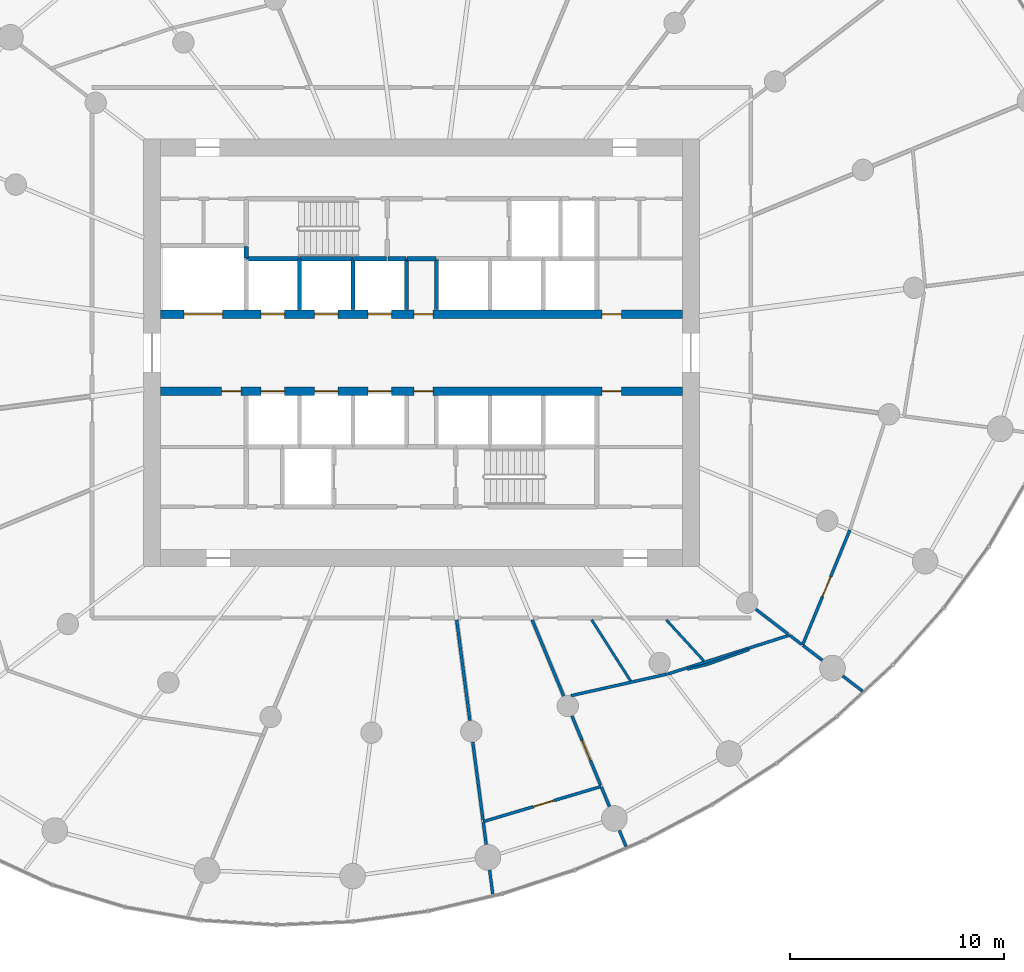
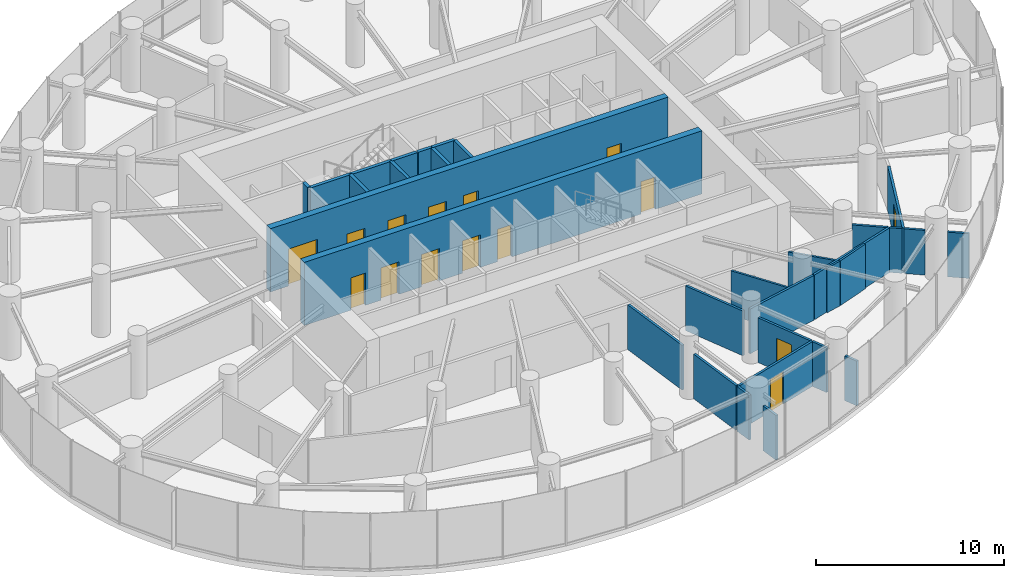
# One storey, part 11 of 17: 32 walls, 15 doors, 15 openings.
"""IFC4 building model written with IfcOpenShell, lengths in metres."""

from ifc_helpers import new_model, si_unit, direction, frame, frame_2d, origin, place, context, subcontext, project, spatial, rectangle, extrude, source, transform, mapped, material, layer, layer_set, type_object, element, fill, save


model = new_model("IFC4")

# Units and contexts
model_context = context("Model", 3, precision=1e-05, world=origin(), true_north=direction((0.0, 1.0)))
body_context = subcontext(model_context, "Body", "Model", "MODEL_VIEW")
ifc_project = project(units=[si_unit("LENGTHUNIT", "METRE"), si_unit("AREAUNIT", "SQUARE_METRE"), si_unit("VOLUMEUNIT", "CUBIC_METRE"), si_unit("PLANEANGLEUNIT", "RADIAN"), si_unit("MASSUNIT", "GRAM", prefix="KILO")], contexts=[model_context])

# Site, building, storey
site_placement = place(None, origin())
site = spatial("IfcSite", under=ifc_project, at=site_placement, CompositionType="ELEMENT")
building_placement = place(site_placement, origin())
building = spatial("IfcBuilding", under=site, at=building_placement, Name="Spindrift Exchange Tower", CompositionType="ELEMENT")
storey_placement = place(building_placement, frame((0.0, 0.0, 104.39990234375)))
storey = spatial("IfcBuildingStorey", under=building, at=storey_placement, Name="L24", CompositionType="ELEMENT", Elevation=104.39990234375)

# Wall, openings, doors
ifc_material_1 = material(Name="Concrete 65 MPa", Category="concrete")
ifc_layer_1 = layer(ifc_material_1, 0.39990234375)
ifc_layer_set_1 = layer_set([ifc_layer_1], Name="RC Spine Wall 400 Concrete 65 MPa")
wall_type_1 = type_object("IfcWallType", Name="RC Spine Wall 400 Concrete 65 MPa", PredefinedType="SHEAR", material=ifc_layer_set_1)
wall_1_placement = place(storey_placement, frame((39.800048828125, 49.800048828125, 0.0), z_axis=(0.0, 0.0, 1.0), x_axis=(1.0, 0.0, 0.0)))
wall_1 = element("IfcWall", 1, at=wall_1_placement, inside=storey, type_object=wall_type_1, Name="Core spine wall N L24", PredefinedType="SHEAR", context=body_context, shape_type="SweptSolid", body=[
    extrude(rectangle(XDim=24.39990234375, YDim=0.39990234375, at=frame_2d((12.199951171875, 0.0))), origin(), (0.0, 0.0, 1.0), 4.10009765625),
])
opening_1_placement = place(wall_1_placement, frame((4.699951171875, 0.0, 0.0)))
opening_1 = element("IfcOpeningElement", 2, at=opening_1_placement, cuts=wall_1, Name="Opening L24-D3", PredefinedType="OPENING", context=body_context, shape_type="SweptSolid", body=[
    extrude(rectangle(XDim=1.10009765625, YDim=2.10009765625, at=frame_2d((0.550048828125, 1.050048828125))), frame((0.0, 0.2099609375, 0.0), z_axis=(0.0, -1.0, 0.0), x_axis=(1.0, 0.0, 0.0)), (0.0, 0.0, 1.0), 0.419921875),
])
opening_2_placement = place(wall_1_placement, frame((7.199951171875, 0.0, 0.0)))
opening_2 = element("IfcOpeningElement", 3, at=opening_2_placement, cuts=wall_1, Name="Opening L24-D4", PredefinedType="OPENING", context=body_context, shape_type="SweptSolid", body=[
    extrude(rectangle(XDim=1.10009765625, YDim=2.10009765625, at=frame_2d((0.550048828125, 1.050048828125))), frame((0.0, 0.2099609375, 0.0), z_axis=(0.0, -1.0, 0.0), x_axis=(1.0, 0.0, 0.0)), (0.0, 0.0, 1.0), 0.419921875),
])
opening_3_placement = place(wall_1_placement, frame((9.699951171875, 0.0, 0.0)))
opening_3 = element("IfcOpeningElement", 4, at=opening_3_placement, cuts=wall_1, Name="Opening L24-D5", PredefinedType="OPENING", context=body_context, shape_type="SweptSolid", body=[
    extrude(rectangle(XDim=1.10009765625, YDim=2.10009765625, at=frame_2d((0.550048828125, 1.050048828125))), frame((0.0, 0.2099609375, 0.0), z_axis=(0.0, -1.0, 0.0), x_axis=(1.0, 0.0, 0.0)), (0.0, 0.0, 1.0), 0.419921875),
])
opening_4_placement = place(wall_1_placement, frame((1.10009765625, 0.0, 0.0)))
opening_4 = element("IfcOpeningElement", 5, at=opening_4_placement, cuts=wall_1, Name="Opening L24-D12", PredefinedType="OPENING", context=body_context, shape_type="SweptSolid", body=[
    extrude(rectangle(XDim=1.800048828125, YDim=2.39990234375, at=frame_2d((0.89990234375, 1.199951171875))), frame((0.0, 0.2099609375, 0.0), z_axis=(0.0, -1.0, 0.0), x_axis=(1.0, 0.0, 0.0)), (0.0, 0.0, 1.0), 0.419921875),
])
opening_5_placement = place(wall_1_placement, frame((20.64990234375, 0.0, 0.0)))
opening_5 = element("IfcOpeningElement", 6, at=opening_5_placement, cuts=wall_1, Name="Opening L24-D50", PredefinedType="OPENING", context=body_context, shape_type="SweptSolid", body=[
    extrude(rectangle(XDim=0.89990234375, YDim=2.10009765625, at=frame_2d((0.449951171875, 1.050048828125))), frame((0.0, 0.2099609375, 0.0), z_axis=(0.0, -1.0, 0.0), x_axis=(1.0, 0.0, 0.0)), (0.0, 0.0, 1.0), 0.419921875),
])
opening_6_placement = place(wall_1_placement, frame((11.85009765625, 0.0, 0.0)))
opening_6 = element("IfcOpeningElement", 7, at=opening_6_placement, cuts=wall_1, Name="Opening L24-D55", PredefinedType="OPENING", context=body_context, shape_type="SweptSolid", body=[
    extrude(rectangle(XDim=0.89990234375, YDim=2.10009765625, at=frame_2d((0.449951171875, 1.050048828125))), frame((0.0, 0.2099609375, 0.0), z_axis=(0.0, -1.0, 0.0), x_axis=(1.0, 0.0, 0.0)), (0.0, 0.0, 1.0), 0.419921875),
])
ifc_material_2 = material(Name="Stainless steel landing door", Category="steel")
door_type_1 = type_object("IfcDoorType", Name="DR-LANDING-1100-SL", OperationType="DOUBLE_DOOR_SLIDING", PredefinedType="USERDEFINED", material=ifc_material_2)
shared_shape_1 = source(origin(), body_context, "Body", "SweptSolid", [
    extrude(rectangle(XDim=1.10009765625, YDim=2.10009765625, at=frame_2d((0.550048828125, 1.050048828125))), frame((0.0, 0.02490234375, 0.0), z_axis=(0.0, -1.0, 0.0), x_axis=(1.0, 0.0, 0.0)), (0.0, 0.0, 1.0), 0.050048828125),
])
door_1_placement = place(opening_1_placement, origin())
door_1 = element("IfcDoor", 8, at=door_1_placement, inside=storey, type_object=door_type_1, Name="L24 Lift landing door 3", ObjectType="LANDING DOOR", OperationType="DOUBLE_DOOR_SLIDING", OverallHeight=2.10009765625, OverallWidth=1.10009765625, PredefinedType="USERDEFINED", context=body_context, shape_type="MappedRepresentation", body=[
    mapped(shared_shape_1, transform((0.0, 0.0, 0.0), scale=1.0)),
])
fill(opening_1, door_1)
door_2_placement = place(opening_2_placement, origin())
door_2 = element("IfcDoor", 9, at=door_2_placement, inside=storey, type_object=door_type_1, Name="L24 Lift landing door 4", ObjectType="LANDING DOOR", OperationType="DOUBLE_DOOR_SLIDING", OverallHeight=2.10009765625, OverallWidth=1.10009765625, PredefinedType="USERDEFINED", context=body_context, shape_type="MappedRepresentation", body=[
    mapped(shared_shape_1, transform((0.0, 0.0, 0.0), scale=1.0)),
])
fill(opening_2, door_2)
door_3_placement = place(opening_3_placement, origin())
door_3 = element("IfcDoor", 10, at=door_3_placement, inside=storey, type_object=door_type_1, Name="L24 Lift landing door 5", ObjectType="LANDING DOOR", OperationType="DOUBLE_DOOR_SLIDING", OverallHeight=2.10009765625, OverallWidth=1.10009765625, PredefinedType="USERDEFINED", context=body_context, shape_type="MappedRepresentation", body=[
    mapped(shared_shape_1, transform((0.0, 0.0, 0.0), scale=1.0)),
])
fill(opening_3, door_3)
door_type_2 = type_object("IfcDoorType", Name="DR-LANDING-1800-SL", OperationType="DOUBLE_DOOR_SLIDING", PredefinedType="USERDEFINED", material=ifc_material_2)
shared_shape_2 = source(origin(), body_context, "Body", "SweptSolid", [
    extrude(rectangle(XDim=1.800048828125, YDim=2.39990234375, at=frame_2d((0.89990234375, 1.199951171875))), frame((0.0, 0.02490234375, 0.0), z_axis=(0.0, -1.0, 0.0), x_axis=(1.0, 0.0, 0.0)), (0.0, 0.0, 1.0), 0.050048828125),
])
door_4_placement = place(opening_4_placement, origin())
door_4 = element("IfcDoor", 11, at=door_4_placement, inside=storey, type_object=door_type_2, Name="L24 Lift landing door 12", ObjectType="LANDING DOOR", OperationType="DOUBLE_DOOR_SLIDING", OverallHeight=2.39990234375, OverallWidth=1.800048828125, PredefinedType="USERDEFINED", context=body_context, shape_type="MappedRepresentation", body=[
    mapped(shared_shape_2, transform((0.0, 0.0, 0.0), scale=1.0)),
])
fill(opening_4, door_4)
ifc_material_3 = material(Name="Steel access door", Category="steel")
door_type_3 = type_object("IfcDoorType", Name="DR-RISER-900", OperationType="NOTDEFINED", PredefinedType="DOOR", material=ifc_material_3)
shared_shape_3 = source(origin(), body_context, "Body", "SweptSolid", [
    extrude(rectangle(XDim=0.89990234375, YDim=2.10009765625, at=frame_2d((0.449951171875, 1.050048828125))), frame((0.0, 0.02490234375, 0.0), z_axis=(0.0, -1.0, 0.0), x_axis=(1.0, 0.0, 0.0)), (0.0, 0.0, 1.0), 0.050048828125),
])
door_5_placement = place(opening_5_placement, origin())
door_5 = element("IfcDoor", 12, at=door_5_placement, inside=storey, type_object=door_type_3, Name="L24 Riser door 50", OperationType="SINGLE_SWING_RIGHT", OverallHeight=2.10009765625, OverallWidth=0.89990234375, PredefinedType="DOOR", context=body_context, shape_type="MappedRepresentation", body=[
    mapped(shared_shape_3, transform((0.0, 0.0, 0.0), scale=1.0)),
])
fill(opening_5, door_5)
door_6_placement = place(opening_6_placement, origin())
door_6 = element("IfcDoor", 13, at=door_6_placement, inside=storey, type_object=door_type_3, Name="L24 Riser door 55", OperationType="SINGLE_SWING_LEFT", OverallHeight=2.10009765625, OverallWidth=0.89990234375, PredefinedType="DOOR", context=body_context, shape_type="MappedRepresentation", body=[
    mapped(shared_shape_3, transform((0.0, 0.0, 0.0), scale=1.0)),
])
fill(opening_6, door_6)

wall_2_placement = place(storey_placement, frame((39.800048828125, 46.199951171875, 0.0), z_axis=(0.0, 0.0, 1.0), x_axis=(1.0, 0.0, 0.0)))
wall_2 = element("IfcWall", 14, at=wall_2_placement, inside=storey, type_object=wall_type_1, Name="Core spine wall S L24", PredefinedType="SHEAR", context=body_context, shape_type="SweptSolid", body=[
    extrude(rectangle(XDim=24.39990234375, YDim=0.39990234375, at=frame_2d((12.199951171875, 0.0))), origin(), (0.0, 0.0, 1.0), 4.10009765625),
])
opening_7_placement = place(wall_2_placement, frame((4.699951171875, 0.0, 0.0)))
opening_7 = element("IfcOpeningElement", 15, at=opening_7_placement, cuts=wall_2, Name="Opening L24-D6", PredefinedType="OPENING", context=body_context, shape_type="SweptSolid", body=[
    extrude(rectangle(XDim=1.10009765625, YDim=2.10009765625, at=frame_2d((0.550048828125, 1.050048828125))), frame((0.0, 0.2099609375, 0.0), z_axis=(0.0, -1.0, 0.0), x_axis=(1.0, 0.0, 0.0)), (0.0, 0.0, 1.0), 0.419921875),
])
opening_8_placement = place(wall_2_placement, frame((7.199951171875, 0.0, 0.0)))
opening_8 = element("IfcOpeningElement", 16, at=opening_8_placement, cuts=wall_2, Name="Opening L24-D7", PredefinedType="OPENING", context=body_context, shape_type="SweptSolid", body=[
    extrude(rectangle(XDim=1.10009765625, YDim=2.10009765625, at=frame_2d((0.550048828125, 1.050048828125))), frame((0.0, 0.2099609375, 0.0), z_axis=(0.0, -1.0, 0.0), x_axis=(1.0, 0.0, 0.0)), (0.0, 0.0, 1.0), 0.419921875),
])
opening_9_placement = place(wall_2_placement, frame((9.699951171875, 0.0, 0.0)))
opening_9 = element("IfcOpeningElement", 17, at=opening_9_placement, cuts=wall_2, Name="Opening L24-D8", PredefinedType="OPENING", context=body_context, shape_type="SweptSolid", body=[
    extrude(rectangle(XDim=1.10009765625, YDim=2.10009765625, at=frame_2d((0.550048828125, 1.050048828125))), frame((0.0, 0.2099609375, 0.0), z_axis=(0.0, -1.0, 0.0), x_axis=(1.0, 0.0, 0.0)), (0.0, 0.0, 1.0), 0.419921875),
])
opening_10_placement = place(wall_2_placement, frame((20.64990234375, 0.0, 0.0)))
opening_10 = element("IfcOpeningElement", 18, at=opening_10_placement, cuts=wall_2, Name="Opening L24-D49", PredefinedType="OPENING", context=body_context, shape_type="SweptSolid", body=[
    extrude(rectangle(XDim=0.89990234375, YDim=2.10009765625, at=frame_2d((0.449951171875, 1.050048828125))), frame((0.0, 0.2099609375, 0.0), z_axis=(0.0, -1.0, 0.0), x_axis=(1.0, 0.0, 0.0)), (0.0, 0.0, 1.0), 0.419921875),
])
opening_11_placement = place(wall_2_placement, frame((2.85009765625, 0.0, 0.0)))
opening_11 = element("IfcOpeningElement", 19, at=opening_11_placement, cuts=wall_2, Name="Opening L24-D54", PredefinedType="OPENING", context=body_context, shape_type="SweptSolid", body=[
    extrude(rectangle(XDim=0.89990234375, YDim=2.10009765625, at=frame_2d((0.449951171875, 1.050048828125))), frame((0.0, 0.2099609375, 0.0), z_axis=(0.0, -1.0, 0.0), x_axis=(1.0, 0.0, 0.0)), (0.0, 0.0, 1.0), 0.419921875),
])
opening_12_placement = place(wall_2_placement, frame((11.85009765625, 0.0, 0.0)))
opening_12 = element("IfcOpeningElement", 20, at=opening_12_placement, cuts=wall_2, Name="Opening L24-D56", PredefinedType="OPENING", context=body_context, shape_type="SweptSolid", body=[
    extrude(rectangle(XDim=0.89990234375, YDim=2.10009765625, at=frame_2d((0.449951171875, 1.050048828125))), frame((0.0, 0.2099609375, 0.0), z_axis=(0.0, -1.0, 0.0), x_axis=(1.0, 0.0, 0.0)), (0.0, 0.0, 1.0), 0.419921875),
])
door_7_placement = place(opening_7_placement, origin())
door_7 = element("IfcDoor", 21, at=door_7_placement, inside=storey, type_object=door_type_1, Name="L24 Lift landing door 6", ObjectType="LANDING DOOR", OperationType="DOUBLE_DOOR_SLIDING", OverallHeight=2.10009765625, OverallWidth=1.10009765625, PredefinedType="USERDEFINED", context=body_context, shape_type="MappedRepresentation", body=[
    mapped(shared_shape_1, transform((0.0, 0.0, 0.0), scale=1.0)),
])
fill(opening_7, door_7)
door_8_placement = place(opening_8_placement, origin())
door_8 = element("IfcDoor", 22, at=door_8_placement, inside=storey, type_object=door_type_1, Name="L24 Lift landing door 7", ObjectType="LANDING DOOR", OperationType="DOUBLE_DOOR_SLIDING", OverallHeight=2.10009765625, OverallWidth=1.10009765625, PredefinedType="USERDEFINED", context=body_context, shape_type="MappedRepresentation", body=[
    mapped(shared_shape_1, transform((0.0, 0.0, 0.0), scale=1.0)),
])
fill(opening_8, door_8)
door_9_placement = place(opening_9_placement, origin())
door_9 = element("IfcDoor", 23, at=door_9_placement, inside=storey, type_object=door_type_1, Name="L24 Lift landing door 8", ObjectType="LANDING DOOR", OperationType="DOUBLE_DOOR_SLIDING", OverallHeight=2.10009765625, OverallWidth=1.10009765625, PredefinedType="USERDEFINED", context=body_context, shape_type="MappedRepresentation", body=[
    mapped(shared_shape_1, transform((0.0, 0.0, 0.0), scale=1.0)),
])
fill(opening_9, door_9)
door_10_placement = place(opening_10_placement, origin())
door_10 = element("IfcDoor", 24, at=door_10_placement, inside=storey, type_object=door_type_3, Name="L24 Riser door 49", OperationType="SINGLE_SWING_LEFT", OverallHeight=2.10009765625, OverallWidth=0.89990234375, PredefinedType="DOOR", context=body_context, shape_type="MappedRepresentation", body=[
    mapped(shared_shape_3, transform((0.0, 0.0, 0.0), scale=1.0)),
])
fill(opening_10, door_10)
door_11_placement = place(opening_11_placement, origin())
door_11 = element("IfcDoor", 25, at=door_11_placement, inside=storey, type_object=door_type_3, Name="L24 Riser door 54", OperationType="SINGLE_SWING_RIGHT", OverallHeight=2.10009765625, OverallWidth=0.89990234375, PredefinedType="DOOR", context=body_context, shape_type="MappedRepresentation", body=[
    mapped(shared_shape_3, transform((0.0, 0.0, 0.0), scale=1.0)),
])
fill(opening_11, door_11)
door_12_placement = place(opening_12_placement, origin())
door_12 = element("IfcDoor", 26, at=door_12_placement, inside=storey, type_object=door_type_3, Name="L24 Riser door 56", OperationType="SINGLE_SWING_RIGHT", OverallHeight=2.10009765625, OverallWidth=0.89990234375, PredefinedType="DOOR", context=body_context, shape_type="MappedRepresentation", body=[
    mapped(shared_shape_3, transform((0.0, 0.0, 0.0), scale=1.0)),
])
fill(opening_12, door_12)

# Wall, opening, door
ifc_material_4 = material(Name="Fire-rated plasterboard partition", Category="gypsum")
ifc_layer_2 = layer(ifc_material_4, 0.139892578125)
ifc_layer_set_2 = layer_set([ifc_layer_2], Name="W-PART-140")
wall_type_2 = type_object("IfcWallType", Name="W-PART-140", PredefinedType="PARTITIONING", material=ifc_layer_set_2)
wall_3_placement = place(storey_placement, frame((60.40185546875, 27.71630859375, 0.0), z_axis=(0.0, 0.0, 1.0), x_axis=(-0.958396549516, -0.285440105584, 0.0)))
wall_3 = element("IfcWall", 27, at=wall_3_placement, inside=storey, type_object=wall_type_2, Name="L24 Partition wall 79", PredefinedType="PARTITIONING", context=body_context, shape_type="SweptSolid", body=[
    extrude(rectangle(XDim=5.754638671875, YDim=0.139892578125, at=frame_2d((2.87744140625, 0.0))), origin(), (0.0, 0.0, 1.0), 2.900146484375),
])
opening_13_placement = place(wall_3_placement, frame((2.304443359375, 0.0, 0.0)))
opening_13 = element("IfcOpeningElement", 28, at=opening_13_placement, cuts=wall_3, Name="Opening L24-D45", PredefinedType="OPENING", context=body_context, shape_type="SweptSolid", body=[
    extrude(rectangle(XDim=1.0, YDim=2.10009765625, at=frame_2d((0.5, 1.050048828125))), frame((0.0, 0.079833984375, 0.0), z_axis=(0.0, -1.0, 0.0), x_axis=(1.0, 0.0, 0.0)), (0.0, 0.0, 1.0), 0.159912109375),
])
ifc_material_5 = material(Name="Timber-core fire door", Category="wood")
door_type_4 = type_object("IfcDoorType", Name="DR-ROOM-1000", OperationType="NOTDEFINED", PredefinedType="DOOR", material=ifc_material_5)
shared_shape_4 = source(origin(), body_context, "Body", "SweptSolid", [
    extrude(rectangle(XDim=1.0, YDim=2.10009765625, at=frame_2d((0.5, 1.050048828125))), frame((0.0, 0.02490234375, 0.0), z_axis=(0.0, -1.0, 0.0), x_axis=(1.0, 0.0, 0.0)), (0.0, 0.0, 1.0), 0.050048828125),
])
door_13_placement = place(opening_13_placement, origin())
door_13 = element("IfcDoor", 29, at=door_13_placement, inside=storey, type_object=door_type_4, Name="L24 Door 45", OperationType="SINGLE_SWING_LEFT", OverallHeight=2.10009765625, OverallWidth=1.0, PredefinedType="DOOR", context=body_context, shape_type="MappedRepresentation", body=[
    mapped(shared_shape_4, transform((0.0, 0.0, 0.0), scale=1.0)),
])
fill(opening_13, door_13)

# Walls
wall_4_placement = place(storey_placement, frame((57.173583984375, 35.510009765625, 0.0), z_axis=(0.0, 0.0, 1.0), x_axis=(0.382644558062, -0.923895633817, 0.0)))
element("IfcWall", 30, at=wall_4_placement, inside=storey, type_object=wall_type_2, Name="L24 Partition wall 95", PredefinedType="PARTITIONING", context=body_context, shape_type="SweptSolid", body=[
    extrude(rectangle(XDim=3.854248046875, YDim=0.139892578125, at=frame_2d((1.92724609375, 0.0))), origin(), (0.0, 0.0, 1.0), 2.900146484375),
])
ifc_layer_3 = layer(ifc_material_4, 0.1201171875)
ifc_layer_set_3 = layer_set([ifc_layer_3], Name="W-PLANT-120")
wall_type_3 = type_object("IfcWallType", Name="W-PLANT-120", PredefinedType="PARTITIONING", material=ifc_layer_set_3)
wall_5_placement = place(storey_placement, frame((65.363037109375, 33.416748046875, 0.0), z_axis=(0.0, 0.0, 1.0), x_axis=(0.941622213284, 0.336671364166, 0.0)))
element("IfcWall", 31, at=wall_5_placement, inside=storey, type_object=wall_type_3, Name="L24 Partition wall 129", PredefinedType="PARTITIONING", context=body_context, shape_type="SweptSolid", body=[
    extrude(rectangle(XDim=2.07763671875, YDim=0.1201171875, at=frame_2d((1.038818359375, 0.0))), origin(), (0.0, 0.0, 1.0), 2.900146484375),
])
wall_6_placement = place(storey_placement, frame((64.4287109375, 33.195068359375, 0.0), z_axis=(0.0, 0.0, 1.0), x_axis=(0.972960885816, 0.230969943221, 0.0)))
element("IfcWall", 32, at=wall_6_placement, inside=storey, type_object=wall_type_3, Name="L24 Partition wall 132", PredefinedType="PARTITIONING", context=body_context, shape_type="SweptSolid", body=[
    extrude(rectangle(XDim=0.93017578125, YDim=0.1201171875, at=frame_2d((0.465087890625, 0.0))), origin(), (0.0, 0.0, 1.0), 2.900146484375),
])
ifc_layer_4 = layer(ifc_material_4, 0.139892578125)
ifc_layer_set_4 = layer_set([ifc_layer_4], Name="W-PLANT-140")
wall_type_4 = type_object("IfcWallType", Name="W-PLANT-140", PredefinedType="PARTITIONING", material=ifc_layer_set_4)
wall_7_placement = place(storey_placement, frame((63.52490234375, 32.98046875, 0.0), z_axis=(0.0, 0.0, 1.0), x_axis=(0.952796236259, 0.303610494172, 0.0)))
element("IfcWall", 33, at=wall_7_placement, inside=storey, type_object=wall_type_4, Name="L24 Partition wall 76", PredefinedType="PARTITIONING", context=body_context, shape_type="SweptSolid", body=[
    extrude(rectangle(XDim=5.968994140625, YDim=0.139892578125, at=frame_2d((2.984375, 0.0))), origin(), (0.0, 0.0, 1.0), 2.900146484375),
])

# Wall, opening, door
wall_8_placement = place(storey_placement, frame((72.028076171875, 39.7041015625, 0.0), z_axis=(0.0, 0.0, 1.0), x_axis=(-0.380042060719, -0.92496920602, 0.0)))
wall_8 = element("IfcWall", 34, at=wall_8_placement, inside=storey, type_object=wall_type_4, Name="L24 Partition wall 78", PredefinedType="PARTITIONING", context=body_context, shape_type="SweptSolid", body=[
    extrude(rectangle(XDim=5.813232421875, YDim=0.139892578125, at=frame_2d((2.90673828125, 0.0))), origin(), (0.0, 0.0, 1.0), 2.900146484375),
])
opening_14_placement = place(wall_8_placement, frame((2.36328125, 0.0, 0.0)))
opening_14 = element("IfcOpeningElement", 35, at=opening_14_placement, cuts=wall_8, Name="Opening L24-D28", PredefinedType="OPENING", context=body_context, shape_type="SweptSolid", body=[
    extrude(rectangle(XDim=1.0, YDim=2.10009765625, at=frame_2d((0.5, 1.050048828125))), frame((0.0, 0.079833984375, 0.0), z_axis=(0.0, -1.0, 0.0), x_axis=(1.0, 0.0, 0.0)), (0.0, 0.0, 1.0), 0.159912109375),
])
door_14_placement = place(opening_14_placement, origin())
door_14 = element("IfcDoor", 36, at=door_14_placement, inside=storey, type_object=door_type_4, Name="L24 Door 28", OperationType="SINGLE_SWING_RIGHT", OverallHeight=2.10009765625, OverallWidth=1.0, PredefinedType="DOOR", context=body_context, shape_type="MappedRepresentation", body=[
    mapped(shared_shape_4, transform((0.0, 0.0, 0.0), scale=1.0)),
])
fill(opening_14, door_14)

# Walls
wall_9_placement = place(storey_placement, frame((53.644287109375, 35.510009765625, 0.0), z_axis=(0.0, 0.0, 1.0), x_axis=(0.130548834981, -0.991441880135, 0.0)))
element("IfcWall", 37, at=wall_9_placement, inside=storey, type_object=wall_type_4, Name="L24 Partition wall 87", PredefinedType="PARTITIONING", context=body_context, shape_type="SweptSolid", body=[
    extrude(rectangle(XDim=4.75390625, YDim=0.139892578125, at=frame_2d((2.376953125, 0.0))), origin(), (0.0, 0.0, 1.0), 2.900146484375),
])
wall_10_placement = place(storey_placement, frame((58.994384765625, 31.963623046875, 0.0), z_axis=(0.0, 0.0, 1.0), x_axis=(0.975726638185, 0.218992071856, 0.0)))
element("IfcWall", 38, at=wall_10_placement, inside=storey, type_object=wall_type_4, Name="L24 Partition wall 88", PredefinedType="PARTITIONING", context=body_context, shape_type="SweptSolid", body=[
    extrude(rectangle(XDim=4.61328125, YDim=0.139892578125, at=frame_2d((2.306640625, 0.0))), origin(), (0.0, 0.0, 1.0), 2.900146484375),
])
wall_11_placement = place(storey_placement, frame((54.396484375, 29.796630859375, 0.0), z_axis=(0.0, 0.0, 1.0), x_axis=(0.13054879449, -0.991441885466, 0.0)))
element("IfcWall", 39, at=wall_11_placement, inside=storey, type_object=wall_type_4, Name="L24 Partition wall 98", PredefinedType="PARTITIONING", context=body_context, shape_type="SweptSolid", body=[
    extrude(rectangle(XDim=3.68408203125, YDim=0.139892578125, at=frame_2d((1.842041015625, 0.0))), origin(), (0.0, 0.0, 1.0), 2.900146484375),
])

# Wall, opening, door
wall_12_placement = place(storey_placement, frame((59.034912109375, 31.015869140625, 0.0), z_axis=(0.0, 0.0, 1.0), x_axis=(0.382713118167, -0.923867235691, 0.0)))
wall_12 = element("IfcWall", 40, at=wall_12_placement, inside=storey, type_object=wall_type_4, Name="L24 Partition wall 99", PredefinedType="PARTITIONING", context=body_context, shape_type="SweptSolid", body=[
    extrude(rectangle(XDim=3.5009765625, YDim=0.139892578125, at=frame_2d((1.75048828125, 0.0))), origin(), (0.0, 0.0, 1.0), 2.900146484375),
])
opening_15_placement = place(wall_12_placement, frame((1.25, 0.0, 0.0)))
opening_15 = element("IfcOpeningElement", 41, at=opening_15_placement, cuts=wall_12, Name="Opening L24-D29", PredefinedType="OPENING", context=body_context, shape_type="SweptSolid", body=[
    extrude(rectangle(XDim=1.0, YDim=2.10009765625, at=frame_2d((0.5, 1.050048828125))), frame((0.0, 0.079833984375, 0.0), z_axis=(0.0, -1.0, 0.0), x_axis=(1.0, 0.0, 0.0)), (0.0, 0.0, 1.0), 0.159912109375),
])
door_15_placement = place(opening_15_placement, origin())
door_15 = element("IfcDoor", 42, at=door_15_placement, inside=storey, type_object=door_type_4, Name="L24 Door 29", OperationType="SINGLE_SWING_LEFT", OverallHeight=2.10009765625, OverallWidth=1.0, PredefinedType="DOOR", context=body_context, shape_type="MappedRepresentation", body=[
    mapped(shared_shape_4, transform((0.0, 0.0, 0.0), scale=1.0)),
])
fill(opening_15, door_15)

# Walls
wall_13_placement = place(storey_placement, frame((67.632568359375, 36.004638671875, 0.0), z_axis=(0.0, 0.0, 1.0), x_axis=(0.79330932609, -0.608818785139, 0.0)))
element("IfcWall", 43, at=wall_13_placement, inside=storey, type_object=wall_type_4, Name="L24 Partition wall 106", PredefinedType="PARTITIONING", context=body_context, shape_type="SweptSolid", body=[
    extrude(rectangle(XDim=1.905517578125, YDim=0.139892578125, at=frame_2d((0.95263671875, 0.0))), origin(), (0.0, 0.0, 1.0), 2.900146484375),
])
wall_14_placement = place(storey_placement, frame((71.69921875, 32.88427734375, 0.0), z_axis=(0.0, 0.0, 1.0), x_axis=(0.793332880396, -0.608788091935, 0.0)))
element("IfcWall", 44, at=wall_14_placement, inside=storey, type_object=wall_type_4, Name="L24 Partition wall 116", PredefinedType="PARTITIONING", context=body_context, shape_type="SweptSolid", body=[
    extrude(rectangle(XDim=1.1640625, YDim=0.139892578125, at=frame_2d((0.58203125, 0.0))), origin(), (0.0, 0.0, 1.0), 2.900146484375),
])
for number, where, z_axis, x_axis, name in (
    (45, (69.8427734375, 34.308837890625, 0.0), (0.0, 0.0, 1.0), (0.793321446023, -0.608802992174, 0.0), "L24 Partition wall 118"),
    (46, (55.185302734375, 23.805419921875, 0.0), (0.0, 0.0, 1.0), (0.130566163888, -0.991439598184, 0.0), "L24 Partition wall 119"),
):
    element("IfcWall", number, at=place(storey_placement, frame(where, z_axis=z_axis, x_axis=x_axis)), inside=storey, type_object=wall_type_4, Name=name, PredefinedType="PARTITIONING", context=body_context, shape_type="SweptSolid", body=[
        extrude(rectangle(XDim=1.13134765625, YDim=0.139892578125, at=frame_2d((0.565673828125, 0.0))), origin(), (0.0, 0.0, 1.0), 2.900146484375),
    ])
wall_15_placement = place(storey_placement, frame((54.890625, 26.0439453125, 0.0), z_axis=(0.0, 0.0, 1.0), x_axis=(0.130562877322, -0.991440030998, 0.0)))
element("IfcWall", 47, at=wall_15_placement, inside=storey, type_object=wall_type_4, Name="L24 Partition wall 120", PredefinedType="PARTITIONING", context=body_context, shape_type="SweptSolid", body=[
    extrude(rectangle(XDim=1.049072265625, YDim=0.139892578125, at=frame_2d((0.5244140625, 0.0))), origin(), (0.0, 0.0, 1.0), 2.900146484375),
])
wall_16_placement = place(storey_placement, frame((60.4130859375, 27.688720703125, 0.0), z_axis=(0.0, 0.0, 1.0), x_axis=(0.382767514508, -0.923844700065, 0.0)))
element("IfcWall", 48, at=wall_16_placement, inside=storey, type_object=wall_type_4, Name="L24 Partition wall 123", PredefinedType="PARTITIONING", context=body_context, shape_type="SweptSolid", body=[
    extrude(rectangle(XDim=0.9853515625, YDim=0.139892578125, at=frame_2d((0.49267578125, 0.0))), origin(), (0.0, 0.0, 1.0), 2.900146484375),
])
wall_17_placement = place(storey_placement, frame((61.25341796875, 25.660400390625, 0.0), z_axis=(0.0, 0.0, 1.0), x_axis=(0.382520140646, -0.923947153251, 0.0)))
element("IfcWall", 49, at=wall_17_placement, inside=storey, type_object=wall_type_4, Name="L24 Partition wall 126", PredefinedType="PARTITIONING", context=body_context, shape_type="SweptSolid", body=[
    extrude(rectangle(XDim=0.811279296875, YDim=0.139892578125, at=frame_2d((0.40576171875, 0.0))), origin(), (0.0, 0.0, 1.0), 2.900146484375),
])
wall_18_placement = place(storey_placement, frame((69.23583984375, 34.7744140625, 0.0), z_axis=(0.0, 0.0, 1.0), x_axis=(0.793363129336, -0.608748671465, 0.0)))
element("IfcWall", 50, at=wall_18_placement, inside=storey, type_object=wall_type_4, Name="L24 Partition wall 127", PredefinedType="PARTITIONING", context=body_context, shape_type="SweptSolid", body=[
    extrude(rectangle(XDim=0.66259765625, YDim=0.139892578125, at=frame_2d((0.331298828125, 0.0))), origin(), (0.0, 0.0, 1.0), 2.900146484375),
])
ifc_material_6 = material(Name="Concrete 40 MPa", Category="concrete")
ifc_layer_5 = layer(ifc_material_6, 0.199951171875)
ifc_layer_set_5 = layer_set([ifc_layer_5], Name="W-SHAFT-200")
wall_type_5 = type_object("IfcWallType", Name="W-SHAFT-200", PredefinedType="SOLIDWALL", material=ifc_layer_set_5)
wall_19_placement = place(storey_placement, frame((51.300048828125, 50.010009765625, 0.0), z_axis=(0.0, 0.0, 1.0), x_axis=(0.0, 1.0, 0.0)))
element("IfcWall", 51, at=wall_19_placement, inside=storey, type_object=wall_type_5, Name="L24 Shaft wall 30", PredefinedType="SOLIDWALL", context=body_context, shape_type="SweptSolid", body=[
    extrude(rectangle(XDim=2.389892578125, YDim=0.199951171875, at=frame_2d((1.19482421875, 0.0))), origin(), (0.0, 0.0, 1.0), 3.7001953125),
])
wall_20_placement = place(storey_placement, frame((52.699951171875, 52.3701171875, 0.0), z_axis=(0.0, 0.0, 1.0), x_axis=(0.0, -1.0, 0.0)))
element("IfcWall", 52, at=wall_20_placement, inside=storey, type_object=wall_type_5, Name="L24 Shaft wall 32", PredefinedType="SOLIDWALL", context=body_context, shape_type="SweptSolid", body=[
    extrude(rectangle(XDim=2.360107421875, YDim=0.199951171875, at=frame_2d((1.18017578125, 0.0))), origin(), (0.0, 0.0, 1.0), 3.7001953125),
])
wall_21_placement = place(storey_placement, frame((51.330078125, 52.39990234375, 0.0), z_axis=(0.0, 0.0, 1.0), x_axis=(1.0, 0.0, 0.0)))
element("IfcWall", 53, at=wall_21_placement, inside=storey, type_object=wall_type_5, Name="L24 Shaft wall 49", PredefinedType="SOLIDWALL", context=body_context, shape_type="SweptSolid", body=[
    extrude(rectangle(XDim=1.33984375, YDim=0.199951171875, at=frame_2d((0.669921875, 0.0))), origin(), (0.0, 0.0, 1.0), 3.7001953125),
])
ifc_layer_6 = layer(ifc_material_6, 0.199951171875)
ifc_layer_set_6 = layer_set([ifc_layer_6], Name="W-SHAFT-200-LB")
wall_type_6 = type_object("IfcWallType", Name="W-SHAFT-200-LB", PredefinedType="SOLIDWALL", material=ifc_layer_set_6)
wall_22_placement = place(storey_placement, frame((46.300048828125, 52.39990234375, 0.0), z_axis=(0.0, 0.0, 1.0), x_axis=(-1.0, 0.0, 0.0)))
element("IfcWall", 54, at=wall_22_placement, inside=storey, type_object=wall_type_6, Name="L24 Shaft wall 15", PredefinedType="SOLIDWALL", context=body_context, shape_type="SweptSolid", body=[
    extrude(rectangle(XDim=2.5, YDim=0.199951171875, at=frame_2d((1.25, 0.0))), origin(), (0.0, 0.0, 1.0), 3.7001953125),
])
wall_23_placement = place(storey_placement, frame((48.800048828125, 52.39990234375, 0.0), z_axis=(0.0, 0.0, 1.0), x_axis=(-1.0, 0.0, 0.0)))
element("IfcWall", 55, at=wall_23_placement, inside=storey, type_object=wall_type_6, Name="L24 Shaft wall 16", PredefinedType="SOLIDWALL", context=body_context, shape_type="SweptSolid", body=[
    extrude(rectangle(XDim=2.469970703125, YDim=0.199951171875, at=frame_2d((1.23486328125, 0.0))), origin(), (0.0, 0.0, 1.0), 3.7001953125),
])
for number, where, z_axis, x_axis, name in (
    (56, (46.300048828125, 50.010009765625, 0.0), (0.0, 0.0, 1.0), (0.0, 1.0, 0.0), "L24 Shaft wall 26"),
    (57, (48.800048828125, 50.010009765625, 0.0), (0.0, 0.0, 1.0), (0.0, 1.0, 0.0), "L24 Shaft wall 28"),
):
    element("IfcWall", number, at=place(storey_placement, frame(where, z_axis=z_axis, x_axis=x_axis)), inside=storey, type_object=wall_type_6, Name=name, PredefinedType="SOLIDWALL", context=body_context, shape_type="SweptSolid", body=[
        extrude(rectangle(XDim=2.360107421875, YDim=0.199951171875, at=frame_2d((1.18017578125, 0.0))), origin(), (0.0, 0.0, 1.0), 3.7001953125),
    ])
wall_24_placement = place(storey_placement, frame((50.3701171875, 52.39990234375, 0.0), z_axis=(0.0, 0.0, 1.0), x_axis=(-1.0, 0.0, 0.0)))
element("IfcWall", 58, at=wall_24_placement, inside=storey, type_object=wall_type_6, Name="L24 Shaft wall 45", PredefinedType="SOLIDWALL", context=body_context, shape_type="SweptSolid", body=[
    extrude(rectangle(XDim=1.5400390625, YDim=0.199951171875, at=frame_2d((0.77001953125, 0.0))), origin(), (0.0, 0.0, 1.0), 3.7001953125),
])
wall_25_placement = place(storey_placement, frame((51.27001953125, 52.39990234375, 0.0), z_axis=(0.0, 0.0, 1.0), x_axis=(-1.0, 0.0, 0.0)))
element("IfcWall", 59, at=wall_25_placement, inside=storey, type_object=wall_type_6, Name="L24 Shaft wall 51", PredefinedType="SOLIDWALL", context=body_context, shape_type="SweptSolid", body=[
    extrude(rectangle(XDim=0.840087890625, YDim=0.199951171875, at=frame_2d((0.419921875, 0.0))), origin(), (0.0, 0.0, 1.0), 3.7001953125),
])
wall_26_placement = place(storey_placement, frame((43.800048828125, 52.429931640625, 0.0), z_axis=(0.0, 0.0, 1.0), x_axis=(0.0, 1.0, 0.0)))
element("IfcWall", 60, at=wall_26_placement, inside=storey, type_object=wall_type_6, Name="L24 Shaft wall 56", PredefinedType="SOLIDWALL", context=body_context, shape_type="SweptSolid", body=[
    extrude(rectangle(XDim=0.5400390625, YDim=0.199951171875, at=frame_2d((0.27001953125, 0.0))), origin(), (0.0, 0.0, 1.0), 3.7001953125),
])
ifc_layer_7 = layer(ifc_material_4, 0.1201171875)
ifc_layer_set_7 = layer_set([ifc_layer_7], Name="W-WET-120")
wall_type_7 = type_object("IfcWallType", Name="W-WET-120", PredefinedType="PARTITIONING", material=ifc_layer_set_7)
wall_27_placement = place(storey_placement, frame((59.95703125, 35.510009765625, 0.0), z_axis=(0.0, 0.0, 1.0), x_axis=(0.53729604105, -0.843393718421, 0.0)))
element("IfcWall", 61, at=wall_27_placement, inside=storey, type_object=wall_type_7, Name="L24 Partition wall 130", PredefinedType="PARTITIONING", context=body_context, shape_type="SweptSolid", body=[
    extrude(rectangle(XDim=3.380126953125, YDim=0.1201171875, at=frame_2d((1.68994140625, 0.0))), origin(), (0.0, 0.0, 1.0), 2.900146484375),
])
wall_28_placement = place(storey_placement, frame((63.445068359375, 35.510009765625, 0.0), z_axis=(0.0, 0.0, 1.0), x_axis=(0.675550604447, -0.737313624471, 0.0)))
element("IfcWall", 62, at=wall_28_placement, inside=storey, type_object=wall_type_7, Name="L24 Partition wall 131", PredefinedType="PARTITIONING", context=body_context, shape_type="SweptSolid", body=[
    extrude(rectangle(XDim=2.60498046875, YDim=0.1201171875, at=frame_2d((1.302490234375, 0.0))), origin(), (0.0, 0.0, 1.0), 2.900146484375),
])

save(model, "model.ifc")
